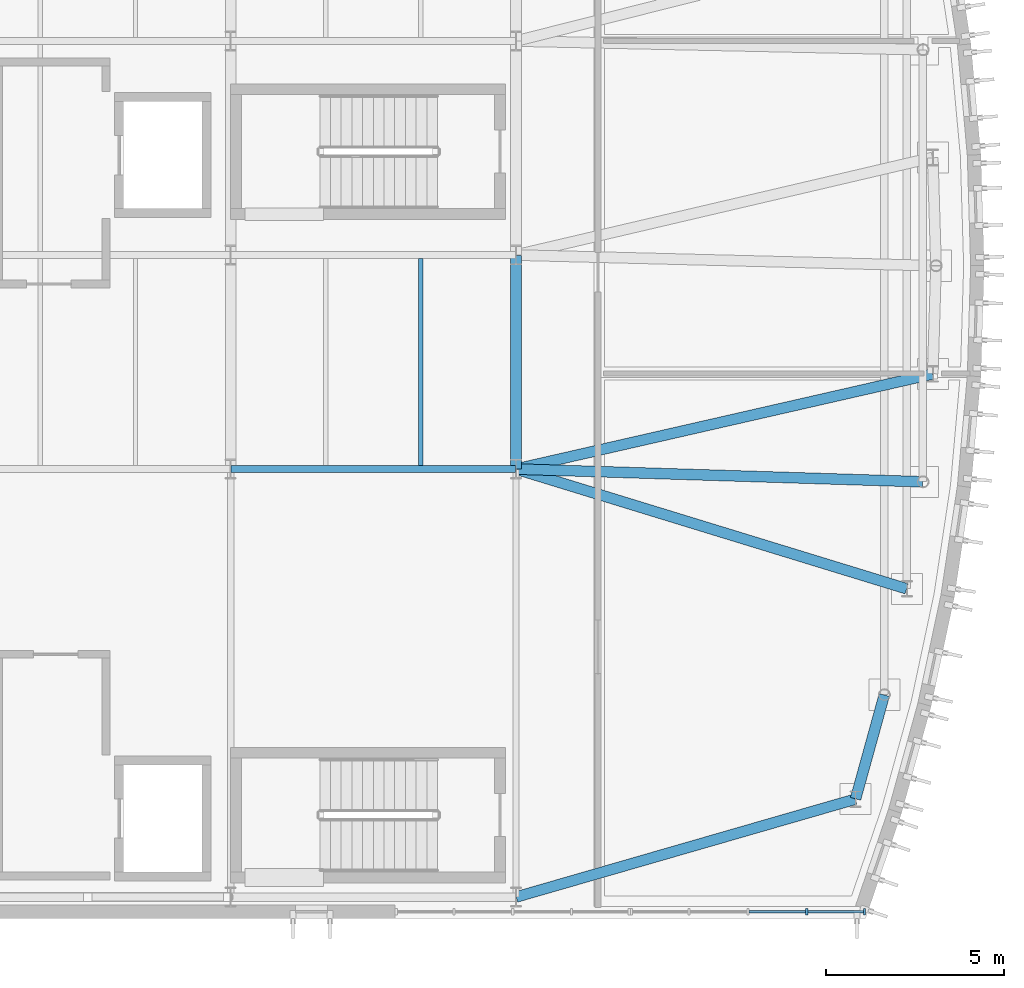
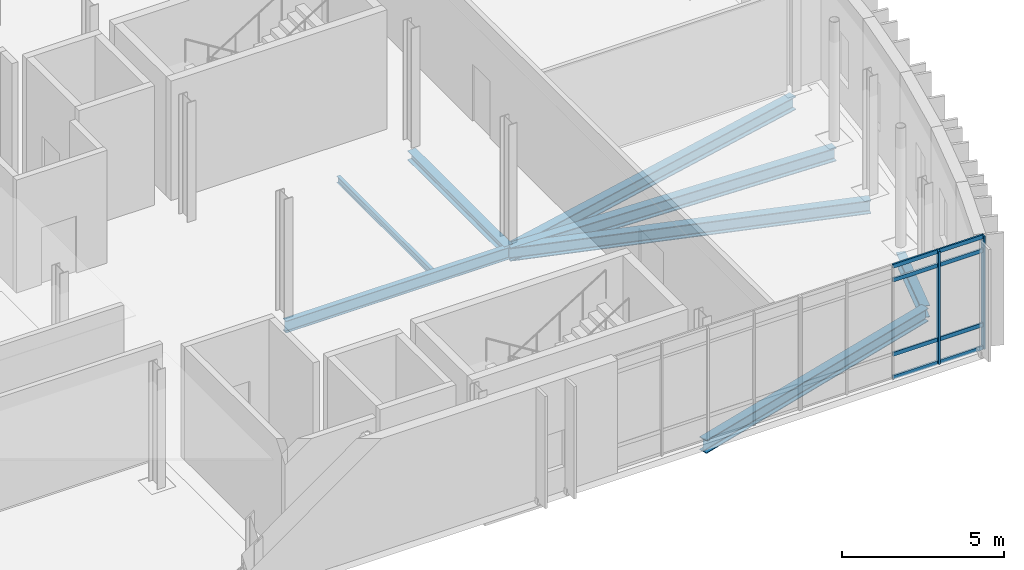
# One storey, part 44 of 100: 10 members, 8 beams, 1 element without a shape of its own.
"""IFC4 building model written with IfcOpenShell, lengths in metres."""

import ifcopenshell
import ifcopenshell.guid

model = None  # the IFC model being written
_history = None  # IfcOwnerHistory: only IFC2X3 demands one
_inside = {}  # id of a spatial element -> (the spatial element, [elements in it])
_under = {}  # id of a project, library or spatial element -> (it, [spatial elements below it])
_declared = {}  # id of a project -> (the project, [libraries it declares])
_typed = {}  # id of a type object -> (the type object, [elements of that type])
_made_of = {}  # id of a material, layer set ... -> (it, [elements and type objects made of it])


def new_model(schema):
    """Start an empty IFC model of exactly this schema.

    Asked for "IFC4X3", IfcOpenShell would pick the latest addendum, in which some entities
    have other attributes; the version numbers below select the first issue.
    IFC2X3 requires an IfcOwnerHistory on every rooted entity: one is made here for all.
    """
    global model, _history
    if schema == "IFC4X3":
        model = ifcopenshell.file(schema_version=(4, 3, 0, 0))
    else:
        model = ifcopenshell.file(schema=schema)
    _inside.clear()
    _under.clear()
    _declared.clear()
    _typed.clear()
    _made_of.clear()
    _history = None
    if model.schema == "IFC2X3":
        org = make("IfcOrganization", Name="unknown")
        user = make(
            "IfcPersonAndOrganization",
            ThePerson=make("IfcPerson", FamilyName="unknown"),
            TheOrganization=org,
        )
        app = make(
            "IfcApplication",
            ApplicationDeveloper=org,
            Version="unknown",
            ApplicationFullName="unknown",
            ApplicationIdentifier="unknown",
        )
        _history = make(
            "IfcOwnerHistory",
            OwningUser=user,
            OwningApplication=app,
            ChangeAction="ADDED",
            CreationDate=0,
        )
    return model


def make(cls, **values):
    """One entity of the class cls with the attributes given. An attribute that is None is left unset."""
    return model.create_entity(
        cls, **{name: value for name, value in values.items() if value is not None}
    )


def rooted(cls, **values):
    """An entity with a GlobalId (a new one), such as an element, a storey or a relation."""
    return make(cls, GlobalId=ifcopenshell.guid.new(), OwnerHistory=_history, **values)


def si_unit(unit_type, name, prefix=None):
    """IfcSIUnit, for example si_unit("LENGTHUNIT", "METRE", prefix="MILLI")."""
    return make("IfcSIUnit", UnitType=unit_type, Prefix=prefix, Name=name)


def assignment(units):
    """IfcUnitAssignment: the units of a project."""
    return None if units is None else make("IfcUnitAssignment", Units=units)


def point(xyz):
    """IfcCartesianPoint."""
    return None if xyz is None else make("IfcCartesianPoint", Coordinates=xyz)


def direction(xyz):
    """IfcDirection."""
    return None if xyz is None else make("IfcDirection", DirectionRatios=xyz)


def frame(location, z_axis=None, x_axis=None):
    """IfcAxis2Placement3D, a coordinate frame: its origin and axes. An axis left out is left unset."""
    return make(
        "IfcAxis2Placement3D",
        Location=point(location),
        Axis=direction(z_axis),
        RefDirection=direction(x_axis),
    )


def frame_2d(location, x_axis=None):
    """IfcAxis2Placement2D, a coordinate frame in the plane: its origin and x axis."""
    return make(
        "IfcAxis2Placement2D", Location=point(location), RefDirection=direction(x_axis)
    )


def origin():
    """The frame at (0, 0, 0) with its axes left unset."""
    return frame((0.0, 0.0, 0.0))


def origin_2d():
    """The frame at (0, 0) in the plane with its x axis left unset."""
    return frame_2d((0.0, 0.0))


def place(relative_to, where):
    """IfcLocalPlacement: puts the frame where relative to a parent placement (None: the world)."""
    return make(
        "IfcLocalPlacement", PlacementRelTo=relative_to, RelativePlacement=where
    )


def context(
    kind, dimensions, precision=None, world=None, true_north=None, identifier=None
):
    """IfcGeometricRepresentationContext, for example the 3D "Model" context."""
    return make(
        "IfcGeometricRepresentationContext",
        ContextIdentifier=identifier,
        ContextType=kind,
        CoordinateSpaceDimension=dimensions,
        Precision=precision,
        WorldCoordinateSystem=world,
        TrueNorth=true_north,
    )


def subcontext(parent, identifier, kind, view, scale=None):
    """IfcGeometricRepresentationSubContext, for example "Body" below "Model"."""
    return make(
        "IfcGeometricRepresentationSubContext",
        ContextIdentifier=identifier,
        ContextType=kind,
        ParentContext=parent,
        TargetScale=scale,
        TargetView=view,
    )


def project(units=None, contexts=None):
    """IfcProject with its units and contexts."""
    return rooted(
        "IfcProject",
        Name="project",
        RepresentationContexts=contexts,
        UnitsInContext=assignment(units),
    )


def spatial(cls, under=None, at=None, **own):
    """A site, building, storey or space (cls), placed at a placement, below another one or the project."""
    s = rooted(cls, ObjectPlacement=at, **own)
    if under is not None:
        _under.setdefault(under.id(), (under, []))[1].append(s)
    return s


def profile(cls, at=None, kind="AREA", **sizes):
    """A parametric profile (cls). Its sizes go by their IFC names, for example OverallWidth=200.0."""
    return make(cls, ProfileType=kind, Position=at, **sizes)


def rectangle(**sizes):
    """IfcRectangleProfileDef."""
    return profile("IfcRectangleProfileDef", **sizes)


def i_section(**sizes):
    """IfcIShapeProfileDef."""
    return profile("IfcIShapeProfileDef", **sizes)


def extrude(swept, where, along, depth):
    """IfcExtrudedAreaSolid: the profile swept, set in the frame where, extruded along a direction by depth."""
    return make(
        "IfcExtrudedAreaSolid",
        SweptArea=swept,
        Position=where,
        ExtrudedDirection=direction(along),
        Depth=depth,
    )


def shape(context_of_items, identifier, shape_type, items):
    """IfcShapeRepresentation: the items that make up one representation, for example the "Body"."""
    return make(
        "IfcShapeRepresentation",
        ContextOfItems=context_of_items,
        RepresentationIdentifier=identifier,
        RepresentationType=shape_type,
        Items=items,
    )


def material(Name=None, Category=None):
    """IfcMaterial."""
    return make("IfcMaterial", Name=Name, Category=Category)


def material_profile(
    of_material, cross_section, Name=None, Category=None, Priority=None
):
    """IfcMaterialProfile: a cross section and its material."""
    return make(
        "IfcMaterialProfile",
        Name=Name,
        Material=of_material,
        Profile=cross_section,
        Priority=Priority,
        Category=Category,
    )


def profile_set(profiles, Name=None, composite=None):
    """IfcMaterialProfileSet."""
    return make(
        "IfcMaterialProfileSet",
        Name=Name,
        MaterialProfiles=profiles,
        CompositeProfile=composite,
    )


def made_of(thing, what):
    """Note that an element or type object is made of a material, layer set ...; save() writes the relation."""
    if what is not None:
        _made_of.setdefault(what.id(), (what, []))[1].append(thing)
    return thing


def type_object(cls, material=None, **own):
    """A type object (cls), such as IfcWallType, which elements share."""
    return made_of(rooted(cls, **own), material)


def element(
    cls,
    number,
    at=None,
    inside=None,
    cuts=None,
    type_object=None,
    material=None,
    context=None,
    identifier="Body",
    shape_type=None,
    held_by="IfcProductDefinitionShape",
    body=None,
    shapes=None,
    **own,
):
    """One element of the class cls, such as IfcWall. Its Tag is "e" and its number.

    at: its placement. inside: the storey or other place that contains it. cuts: it is an
    opening in that element (IfcRelVoidsElement). A single representation is given by context,
    identifier, shape_type and body (its items); several are given by shapes. held_by: the class
    of the entity that holds the representations. save() writes the other relations.
    """
    e = rooted(cls, Tag="e%d" % number, ObjectPlacement=at, **own)
    if body is not None:
        shapes = [shape(context, identifier, shape_type, body)]
    if shapes is not None:
        e.Representation = make(held_by, Representations=shapes)
    if inside is not None:
        _inside.setdefault(inside.id(), (inside, []))[1].append(e)
    if cuts is not None:
        rooted(
            "IfcRelVoidsElement", RelatingBuildingElement=cuts, RelatedOpeningElement=e
        )
    if type_object is not None:
        _typed.setdefault(type_object.id(), (type_object, []))[1].append(e)
    return made_of(e, material)


def aggregate(whole, parts):
    """IfcRelAggregates: a whole, such as a stair, and the parts it consists of."""
    return rooted("IfcRelAggregates", RelatingObject=whole, RelatedObjects=parts)


def save(model, path):
    """Write the relations noted so far, then the file.

    IfcRelAggregates (storeys below a building ...), IfcRelContainedInSpatialStructure (elements
    in a storey), IfcRelDefinesByType, IfcRelAssociatesMaterial and IfcRelDeclares: one each for
    every whole, place, type object, material and project.
    """
    for whole, parts in _under.values():
        aggregate(whole, parts)
    for where, things in _inside.values():
        rooted(
            "IfcRelContainedInSpatialStructure",
            RelatedElements=things,
            RelatingStructure=where,
        )
    for kind, things in _typed.values():
        rooted("IfcRelDefinesByType", RelatedObjects=things, RelatingType=kind)
    for what, things in _made_of.values():
        rooted("IfcRelAssociatesMaterial", RelatedObjects=things, RelatingMaterial=what)
    for by, libraries in _declared.values():
        rooted("IfcRelDeclares", RelatingContext=by, RelatedDefinitions=libraries)
    model.write(path)


model = new_model("IFC4")

# Units and contexts
model_context = context("Model", 3, precision=1e-05, world=origin(), true_north=direction((0.0, 1.0)))
body_context = subcontext(model_context, "Body", "Model", "MODEL_VIEW")
ifc_project = project(units=[si_unit("LENGTHUNIT", "METRE"), si_unit("AREAUNIT", "SQUARE_METRE"), si_unit("VOLUMEUNIT", "CUBIC_METRE"), si_unit("PLANEANGLEUNIT", "RADIAN"), si_unit("MASSUNIT", "GRAM", prefix="KILO")], contexts=[model_context])

# Site, building, storey
site_placement = place(None, origin())
site = spatial("IfcSite", under=ifc_project, at=site_placement, CompositionType="ELEMENT")
building_placement = place(site_placement, origin())
building = spatial("IfcBuilding", under=site, at=building_placement, Name="Cymarion Research Institute", CompositionType="ELEMENT")
storey_placement = place(building_placement, frame((0.0, 0.0, 9.300048828125)))
storey = spatial("IfcBuildingStorey", under=building, at=storey_placement, Name="L02", CompositionType="ELEMENT", Elevation=9.300048828125)

# Curtain wall, members
ifc_material_1 = material(Name="Anodised aluminium unitised curtain wall with Low-E glazing", Category="aluminium")
curtain_wall_type = type_object("IfcCurtainWallType", Name="UNITISED CURTAIN WALL CW01 6590X4250", PredefinedType="NOTDEFINED", material=ifc_material_1)
curtain_wall_placement = place(storey_placement, origin())
curtain_wall = element("IfcCurtainWall", 1, at=curtain_wall_placement, inside=storey, type_object=curtain_wall_type, Name="L02 V1 unitised curtain wall CW01 #66", PredefinedType="NOTDEFINED")
ifc_material_2 = material(Name="Anodised aluminium framing", Category="aluminium")
ifc_material_profile_1 = material_profile(ifc_material_2, rectangle(XDim=0.06005859375, YDim=0.179931640625, at=origin_2d()), Name="ALU MULLION 60x180")
ifc_profile_set_1 = profile_set([ifc_material_profile_1], Name="Anodised aluminium framing")
member_type_1 = type_object("IfcMemberType", Name="CURTAIN WALL MULLION ML01 60X180", PredefinedType="MULLION", material=ifc_profile_set_1)
member_1_placement = place(storey_placement, frame((162.751708984375, 5.090087890625, 0.0), z_axis=(0.0, 0.0, 1.0), x_axis=(1.0, 0.0, 0.0)))
member_1 = element("IfcMember", 2, at=member_1_placement, type_object=member_type_1, Name="CW01 mullion 4", PredefinedType="MULLION", context=body_context, shape_type="SweptSolid", body=[
    extrude(rectangle(XDim=0.06005859375, YDim=0.179931640625, at=origin_2d()), origin(), (0.0, 0.0, 1.0), 4.25),
])
member_2_placement = place(storey_placement, frame((164.3701171875, 5.090087890625, 0.0), z_axis=(0.0, 0.0, 1.0), x_axis=(1.0, 0.0, 0.0)))
member_2 = element("IfcMember", 3, at=member_2_placement, type_object=member_type_1, Name="CW01 mullion 5", PredefinedType="MULLION", context=body_context, shape_type="SweptSolid", body=[
    extrude(rectangle(XDim=0.06005859375, YDim=0.179931640625, at=origin_2d()), origin(), (0.0, 0.0, 1.0), 4.25),
])
ifc_material_profile_2 = material_profile(ifc_material_2, rectangle(XDim=0.06005859375, YDim=0.14990234375, at=origin_2d()), Name="ALU TRANSOM 60x150")
ifc_profile_set_2 = profile_set([ifc_material_profile_2], Name="Anodised aluminium framing")
member_type_2 = type_object("IfcMemberType", Name="CURTAIN WALL TRANSOM TR01 60X150", PredefinedType="USERDEFINED", material=ifc_profile_set_2)
member_3_placement = place(storey_placement, frame((161.133544921875, 5.090087890625, 0.030029296875), z_axis=(1.0, 0.0, 0.0), x_axis=(0.0, 1.0, 0.0)))
member_3 = element("IfcMember", 4, at=member_3_placement, type_object=member_type_2, Name="CW01 transom 3.1", ObjectType="TRANSOM", PredefinedType="USERDEFINED", context=body_context, shape_type="SweptSolid", body=[
    extrude(rectangle(XDim=0.06005859375, YDim=0.14990234375, at=origin_2d()), origin(), (0.0, 0.0, 1.0), 1.588134765625),
])
member_4_placement = place(storey_placement, frame((161.133544921875, 5.090087890625, 0.89990234375), z_axis=(1.0, 0.0, 0.0), x_axis=(0.0, 1.0, 0.0)))
member_4 = element("IfcMember", 5, at=member_4_placement, type_object=member_type_2, Name="CW01 transom 3.2", ObjectType="TRANSOM", PredefinedType="USERDEFINED", context=body_context, shape_type="SweptSolid", body=[
    extrude(rectangle(XDim=0.06005859375, YDim=0.14990234375, at=origin_2d()), origin(), (0.0, 0.0, 1.0), 1.588134765625),
])
member_5_placement = place(storey_placement, frame((161.133544921875, 5.090087890625, 3.699951171875), z_axis=(1.0, 0.0, 0.0), x_axis=(0.0, 1.0, 0.0)))
member_5 = element("IfcMember", 6, at=member_5_placement, type_object=member_type_2, Name="CW01 transom 3.3", ObjectType="TRANSOM", PredefinedType="USERDEFINED", context=body_context, shape_type="SweptSolid", body=[
    extrude(rectangle(XDim=0.06005859375, YDim=0.14990234375, at=origin_2d()), origin(), (0.0, 0.0, 1.0), 1.588134765625),
])
member_6_placement = place(storey_placement, frame((161.133544921875, 5.090087890625, 4.219970703125), z_axis=(1.0, 0.0, 0.0), x_axis=(0.0, 1.0, 0.0)))
member_6 = element("IfcMember", 7, at=member_6_placement, type_object=member_type_2, Name="CW01 transom 3.4", ObjectType="TRANSOM", PredefinedType="USERDEFINED", context=body_context, shape_type="SweptSolid", body=[
    extrude(rectangle(XDim=0.06005859375, YDim=0.14990234375, at=origin_2d()), origin(), (0.0, 0.0, 1.0), 1.588134765625),
])
member_7_placement = place(storey_placement, frame((162.78173828125, 5.090087890625, 0.030029296875), z_axis=(1.0, 0.0, 0.0), x_axis=(0.0, 1.0, 0.0)))
member_7 = element("IfcMember", 8, at=member_7_placement, type_object=member_type_2, Name="CW01 transom 4.1", ObjectType="TRANSOM", PredefinedType="USERDEFINED", context=body_context, shape_type="SweptSolid", body=[
    extrude(rectangle(XDim=0.06005859375, YDim=0.14990234375, at=origin_2d()), origin(), (0.0, 0.0, 1.0), 1.558349609375),
])
member_8_placement = place(storey_placement, frame((162.78173828125, 5.090087890625, 0.89990234375), z_axis=(1.0, 0.0, 0.0), x_axis=(0.0, 1.0, 0.0)))
member_8 = element("IfcMember", 9, at=member_8_placement, type_object=member_type_2, Name="CW01 transom 4.2", ObjectType="TRANSOM", PredefinedType="USERDEFINED", context=body_context, shape_type="SweptSolid", body=[
    extrude(rectangle(XDim=0.06005859375, YDim=0.14990234375, at=origin_2d()), origin(), (0.0, 0.0, 1.0), 1.558349609375),
])
member_9_placement = place(storey_placement, frame((162.78173828125, 5.090087890625, 3.699951171875), z_axis=(1.0, 0.0, 0.0), x_axis=(0.0, 1.0, 0.0)))
member_9 = element("IfcMember", 10, at=member_9_placement, type_object=member_type_2, Name="CW01 transom 4.3", ObjectType="TRANSOM", PredefinedType="USERDEFINED", context=body_context, shape_type="SweptSolid", body=[
    extrude(rectangle(XDim=0.06005859375, YDim=0.14990234375, at=origin_2d()), origin(), (0.0, 0.0, 1.0), 1.558349609375),
])
member_10_placement = place(storey_placement, frame((162.78173828125, 5.090087890625, 4.219970703125), z_axis=(1.0, 0.0, 0.0), x_axis=(0.0, 1.0, 0.0)))
member_10 = element("IfcMember", 11, at=member_10_placement, type_object=member_type_2, Name="CW01 transom 4.4", ObjectType="TRANSOM", PredefinedType="USERDEFINED", context=body_context, shape_type="SweptSolid", body=[
    extrude(rectangle(XDim=0.06005859375, YDim=0.14990234375, at=origin_2d()), origin(), (0.0, 0.0, 1.0), 1.558349609375),
])
aggregate(curtain_wall, [member_1, member_2, member_3, member_4, member_5, member_6, member_7, member_8, member_9, member_10])

# Beams
ifc_material_3 = material(Name="Steel S355", Category="steel")
ifc_material_profile_3 = material_profile(ifc_material_3, i_section(OverallWidth=0.18994140625, OverallDepth=0.449951171875, WebThickness=0.009521484375, FlangeThickness=0.0146484375, FilletRadius=0.02099609375, at=origin_2d()), Name="IPE 450")
ifc_profile_set_3 = profile_set([ifc_material_profile_3], Name="Steel S355")
beam_type_1 = type_object("IfcBeamType", Name="PRIMARY GIRDER BM04 IPE 450", PredefinedType="BEAM", material=ifc_profile_set_3)
beam_1_placement = place(storey_placement, frame((146.60595703125, 17.5, -0.47509765625), z_axis=(1.0, 0.0, 0.0), x_axis=(0.0, 1.0, 0.0)))
element("IfcBeam", 12, at=beam_1_placement, inside=storey, type_object=beam_type_1, Name="L02 V1 girder BM04 #776", PredefinedType="BEAM", context=body_context, shape_type="SweptSolid", body=[
    extrude(i_section(OverallWidth=0.18994140625, OverallDepth=0.449951171875, WebThickness=0.009521484375, FlangeThickness=0.0146484375, FilletRadius=0.02099609375, at=origin_2d()), origin(), (0.0, 0.0, 1.0), 7.988037109375),
])
ifc_material_profile_4 = material_profile(ifc_material_3, i_section(OverallWidth=0.300048828125, OverallDepth=0.5, WebThickness=0.014404296875, FlangeThickness=0.028076171875, FilletRadius=0.027099609375, at=origin_2d()), Name="HEB 500")
ifc_profile_set_4 = profile_set([ifc_material_profile_4], Name="Steel S355")
beam_type_2 = type_object("IfcBeamType", Name="PRIMARY GIRDER BM09 HEB 500", PredefinedType="BEAM", material=ifc_profile_set_4)
beam_2_placement = place(storey_placement, frame((154.607666015625, 5.502197265625, -0.5), z_axis=(0.960790340878, 0.277275893067, 0.0), x_axis=(-0.277275893067, 0.960790340878, 0.0)))
element("IfcBeam", 13, at=beam_2_placement, inside=storey, type_object=beam_type_2, Name="L02 V1 radial prow girder BM09 #824", PredefinedType="BEAM", context=body_context, shape_type="SweptSolid", body=[
    extrude(i_section(OverallWidth=0.300048828125, OverallDepth=0.5, WebThickness=0.014404296875, FlangeThickness=0.028076171875, FilletRadius=0.027099609375, at=origin_2d()), origin(), (0.0, 0.0, 1.0), 9.8916015625),
])
beam_3_placement = place(storey_placement, frame((154.607666015625, 17.497802734375, -0.5), z_axis=(0.956111343016, -0.29300358318, 0.0), x_axis=(0.29300358318, 0.956111343016, 0.0)))
element("IfcBeam", 14, at=beam_3_placement, inside=storey, type_object=beam_type_2, Name="L02 V1 radial prow girder BM09 #825", PredefinedType="BEAM", context=body_context, shape_type="SweptSolid", body=[
    extrude(i_section(OverallWidth=0.300048828125, OverallDepth=0.5, WebThickness=0.014404296875, FlangeThickness=0.028076171875, FilletRadius=0.027099609375, at=origin_2d()), origin(), (0.0, 0.0, 1.0), 11.447021484375),
])
beam_4_placement = place(storey_placement, frame((154.60791015625, 17.499755859375, -0.5), z_axis=(0.999510612774, -0.03128154332, 0.0), x_axis=(0.03128154332, 0.999510612774, 0.0)))
element("IfcBeam", 15, at=beam_4_placement, inside=storey, type_object=beam_type_2, Name="L02 V1 radial prow girder BM09 #826", PredefinedType="BEAM", context=body_context, shape_type="SweptSolid", body=[
    extrude(i_section(OverallWidth=0.300048828125, OverallDepth=0.5, WebThickness=0.014404296875, FlangeThickness=0.028076171875, FilletRadius=0.027099609375, at=origin_2d()), origin(), (0.0, 0.0, 1.0), 11.402587890625),
])
beam_5_placement = place(storey_placement, frame((154.60791015625, 17.501708984375, -0.5), z_axis=(0.974944767555, 0.222447072846, 0.0), x_axis=(-0.222447072846, 0.974944767555, 0.0)))
element("IfcBeam", 16, at=beam_5_placement, inside=storey, type_object=beam_type_2, Name="L02 V1 radial prow girder BM09 #827", PredefinedType="BEAM", context=body_context, shape_type="SweptSolid", body=[
    extrude(i_section(OverallWidth=0.300048828125, OverallDepth=0.5, WebThickness=0.014404296875, FlangeThickness=0.028076171875, FilletRadius=0.027099609375, at=origin_2d()), origin(), (0.0, 0.0, 1.0), 11.969482421875),
])
ifc_material_profile_5 = material_profile(ifc_material_3, i_section(OverallWidth=0.300048828125, OverallDepth=0.449951171875, WebThickness=0.013916015625, FlangeThickness=0.02587890625, FilletRadius=0.027099609375, at=origin_2d()), Name="HEB 450")
ifc_profile_set_5 = profile_set([ifc_material_profile_5], Name="Steel S355")
beam_type_3 = type_object("IfcBeamType", Name="PRIMARY GIRDER BM10 HEB 450", PredefinedType="BEAM", material=ifc_profile_set_5)
beam_6_placement = place(storey_placement, frame((164.12109375, 8.254638671875, -0.47509765625), z_axis=(0.266488575035, 0.963838077364, 0.0), x_axis=(-0.963838077364, 0.266488575035, 0.0)))
element("IfcBeam", 17, at=beam_6_placement, inside=storey, type_object=beam_type_3, Name="L02 V1 prow ring girder BM10 #820", PredefinedType="BEAM", context=body_context, shape_type="SweptSolid", body=[
    extrude(i_section(OverallWidth=0.300048828125, OverallDepth=0.449951171875, WebThickness=0.013916015625, FlangeThickness=0.02587890625, FilletRadius=0.027099609375, at=origin_2d()), origin(), (0.0, 0.0, 1.0), 3.01953125),
])
ifc_material_profile_6 = material_profile(ifc_material_3, i_section(OverallWidth=0.300048828125, OverallDepth=0.35009765625, WebThickness=0.010009765625, FlangeThickness=0.017578125, FilletRadius=0.027099609375, at=origin_2d()), Name="HEA 360")
ifc_profile_set_6 = profile_set([ifc_material_profile_6], Name="Steel S355")
beam_type_4 = type_object("IfcBeamType", Name="PRIMARY GIRDER BM12 HEA 360", PredefinedType="BEAM", material=ifc_profile_set_6)
beam_7_placement = place(storey_placement, frame((154.60009765625, 17.506103515625, -0.425048828125), z_axis=(0.0, 1.0, 0.0), x_axis=(-1.0, 0.0, 0.0)))
element("IfcBeam", 18, at=beam_7_placement, inside=storey, type_object=beam_type_4, Name="L02 V1 girder BM12 #813", PredefinedType="BEAM", context=body_context, shape_type="SweptSolid", body=[
    extrude(i_section(OverallWidth=0.300048828125, OverallDepth=0.35009765625, WebThickness=0.010009765625, FlangeThickness=0.017578125, FilletRadius=0.027099609375, at=origin_2d()), origin(), (0.0, 0.0, 1.0), 5.98779296875),
])
ifc_material_profile_7 = material_profile(ifc_material_3, i_section(OverallWidth=0.1201171875, OverallDepth=0.239990234375, WebThickness=0.006103515625, FlangeThickness=0.009765625, FilletRadius=0.014892578125, at=origin_2d()), Name="IPE 240")
ifc_profile_set_7 = profile_set([ifc_material_profile_7], Name="Steel S355")
beam_type_5 = type_object("IfcBeamType", Name="SECONDARY JOIST JS04 IPE 240", PredefinedType="JOIST", material=ifc_profile_set_7)
beam_8_placement = place(storey_placement, frame((151.933349609375, 17.59912109375, -0.3701171875), z_axis=(0.0, 1.0, 0.0), x_axis=(-1.0, 0.0, 0.0)))
element("IfcBeam", 19, at=beam_8_placement, inside=storey, type_object=beam_type_5, Name="L02 V1 secondary joist JS04 #861", PredefinedType="JOIST", context=body_context, shape_type="SweptSolid", body=[
    extrude(i_section(OverallWidth=0.1201171875, OverallDepth=0.239990234375, WebThickness=0.006103515625, FlangeThickness=0.009765625, FilletRadius=0.014892578125, at=origin_2d()), origin(), (0.0, 0.0, 1.0), 5.8017578125),
])

save(model, "model.ifc")
